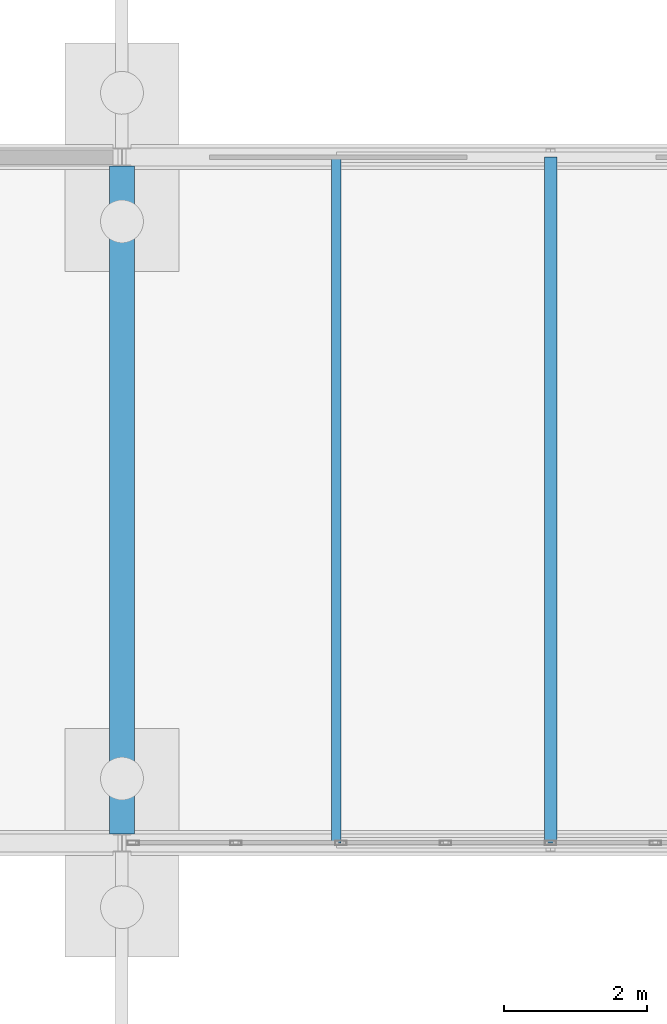
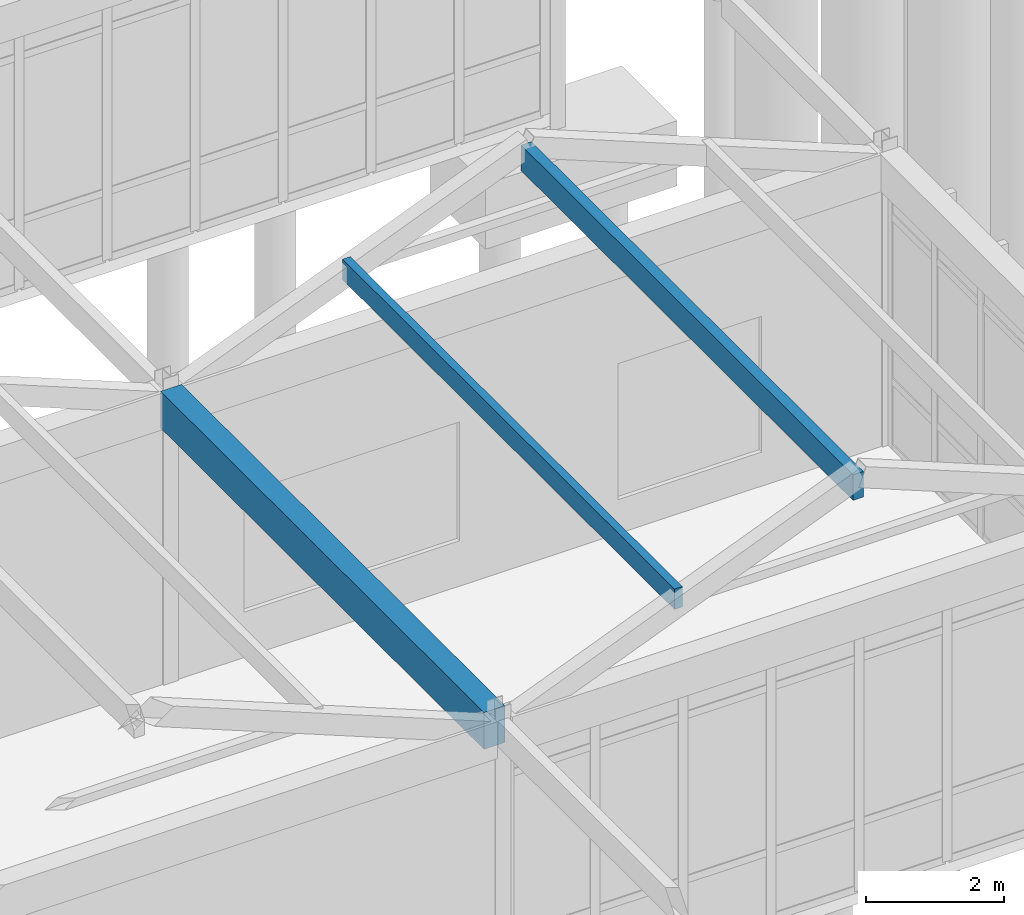
# One storey, part 46 of 188: 2 members, 1 beam.
"""IFC4 building model written with IfcOpenShell, lengths in metres."""

from ifc_helpers import new_model, si_unit, direction, frame, origin, origin_2d, place, context, subcontext, project, spatial, rectangle, extrude, material, material_profile, profile_set, type_object, element, save


model = new_model("IFC4")

# Units and contexts
model_context = context("Model", 3, precision=1e-05, world=origin(), true_north=direction((0.0, 1.0)))
body_context = subcontext(model_context, "Body", "Model", "MODEL_VIEW")
ifc_project = project(units=[si_unit("LENGTHUNIT", "METRE"), si_unit("AREAUNIT", "SQUARE_METRE"), si_unit("VOLUMEUNIT", "CUBIC_METRE"), si_unit("PLANEANGLEUNIT", "RADIAN"), si_unit("MASSUNIT", "GRAM", prefix="KILO")], contexts=[model_context])

# Site, building, storey
site_placement = place(None, origin())
site = spatial("IfcSite", under=ifc_project, at=site_placement, CompositionType="ELEMENT")
building_placement = place(site_placement, origin())
building = spatial("IfcBuilding", under=site, at=building_placement, Name="Pandanus Reach Market Hall", CompositionType="ELEMENT")
storey_placement = place(building_placement, origin())
storey = spatial("IfcBuildingStorey", under=building, at=storey_placement, Name="L00", CompositionType="ELEMENT", Elevation=0.0)

# Beam
ifc_material_1 = material(Name="Concrete N40 (40 MPa)", Category="concrete")
ifc_material_profile_1 = material_profile(ifc_material_1, rectangle(XDim=0.35009765625, YDim=0.64990234375, at=origin_2d()), Name="RC350x650", Category="LoadBearing")
ifc_profile_set_1 = profile_set([ifc_material_profile_1], Name="Concrete N40 (40 MPa)")
beam_type = type_object("IfcBeamType", Name="BM-RC350-E", PredefinedType="SPANDREL", material=ifc_profile_set_1)
beam_placement = place(storey_placement, frame((24.0, 57.72509765625, 4.8798828125), z_axis=(0.0, 1.0, 0.0), x_axis=(-1.0, 0.0, 0.0)))
element("IfcBeam", 1, at=beam_placement, inside=storey, type_object=beam_type, Name="Framing beam BM-RC350-E L00.1166", PredefinedType="SPANDREL", context=body_context, shape_type="SweptSolid", body=[
    extrude(rectangle(XDim=0.35009765625, YDim=0.64990234375, at=origin_2d()), origin(), (0.0, 0.0, 1.0), 9.349853515625),
])

# Members
ifc_material_2 = material(Name="Glulam timber GL17", Category="wood")
ifc_material_profile_2 = material_profile(ifc_material_2, rectangle(XDim=0.1298828125, YDim=0.360107421875, at=origin_2d()), Name="GL130x360", Category="LoadBearing")
ifc_profile_set_2 = profile_set([ifc_material_profile_2], Name="Glulam timber GL17")
member_type_1 = type_object("IfcMemberType", Name="PR-GL130-E", PredefinedType="PURLIN", material=ifc_profile_set_2)
member_1_placement = place(storey_placement, frame((27.0, 57.60009765625, 6.189697265625), z_axis=(0.0, 1.0, 0.0), x_axis=(-1.0, 0.0, 0.0)))
element("IfcMember", 2, at=member_1_placement, inside=storey, type_object=member_type_1, Name="Gable slope glulam purlin R2.B3W", PredefinedType="PURLIN", context=body_context, shape_type="SweptSolid", body=[
    extrude(rectangle(XDim=0.1298828125, YDim=0.360107421875, at=origin_2d()), origin(), (0.0, 0.0, 1.0), 9.599853515625),
])
ifc_material_profile_3 = material_profile(ifc_material_2, rectangle(XDim=0.175048828125, YDim=0.449951171875, at=origin_2d()), Name="GL175x450", Category="LoadBearing")
ifc_profile_set_3 = profile_set([ifc_material_profile_3], Name="Glulam timber GL17")
member_type_2 = type_object("IfcMemberType", Name="PR-GL175-E", PredefinedType="PURLIN", material=ifc_profile_set_3)
member_2_placement = place(storey_placement, frame((30.0, 57.60009765625, 7.11865234375), z_axis=(0.0, 1.0, 0.0), x_axis=(-1.0, 0.0, 0.0)))
element("IfcMember", 3, at=member_2_placement, inside=storey, type_object=member_type_2, Name="Gable ridge glulam purlin R2.B3", PredefinedType="PURLIN", context=body_context, shape_type="SweptSolid", body=[
    extrude(rectangle(XDim=0.175048828125, YDim=0.449951171875, at=origin_2d()), origin(), (0.0, 0.0, 1.0), 9.599853515625),
])

save(model, "model.ifc")
